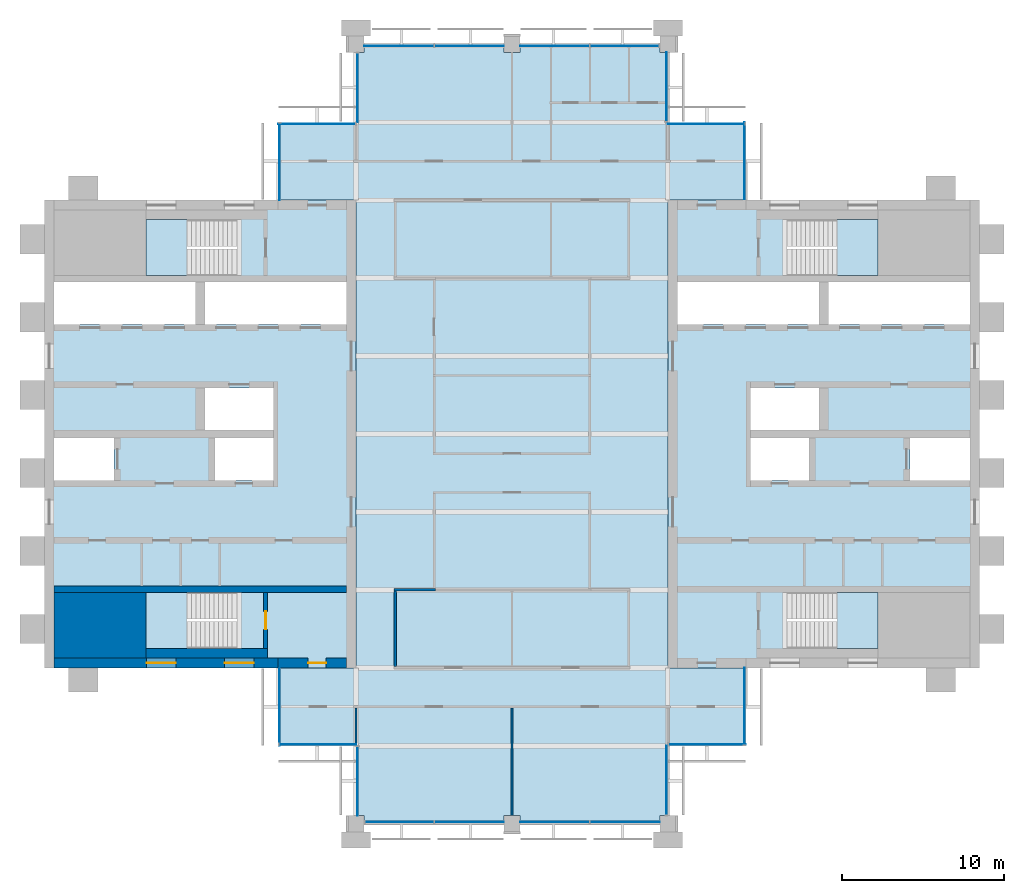
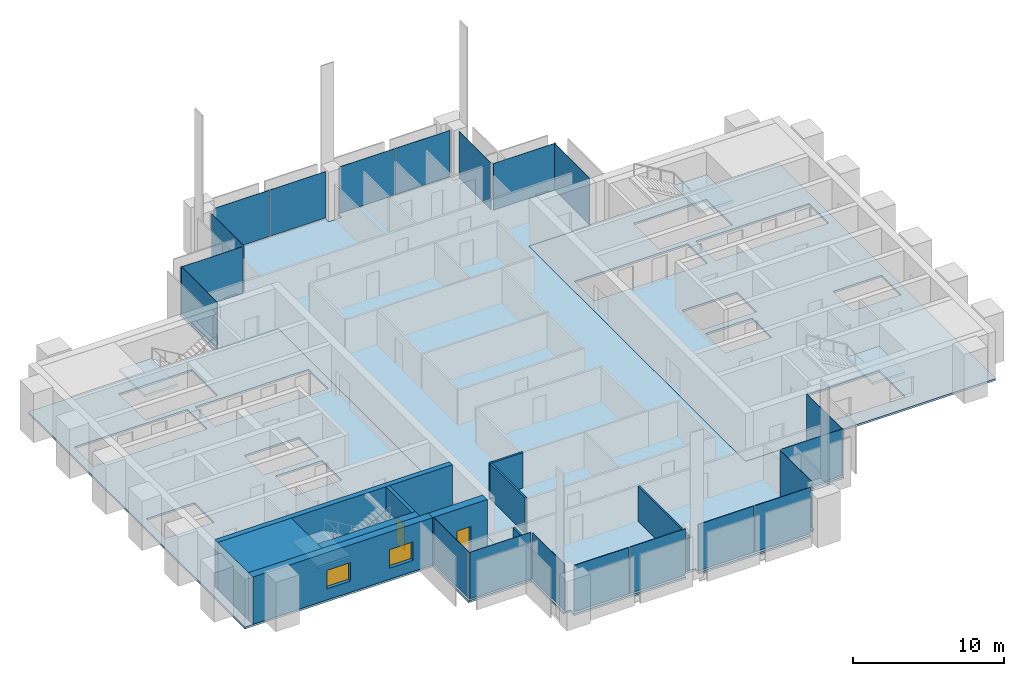
# One storey, part 7 of 13: 20 plates, 10 walls, 7 slabs, 2 doors, 2 windows, 4 openings, 18 elements without a shape of their own.
"""IFC4 building model written with IfcOpenShell, lengths in metres."""

from ifc_helpers import new_model, si_unit, direction, frame, frame_2d, origin, origin_2d, place, context, subcontext, project, spatial, polyline, rectangle, outline, extrude, material, layer, layer_set, type_object, element, fill, aggregate, save


model = new_model("IFC4")

# Units and contexts
model_context = context("Model", 3, precision=1e-05, world=origin(), true_north=direction((0.0, 1.0)))
body_context = subcontext(model_context, "Body", "Model", "MODEL_VIEW")
ifc_project = project(units=[si_unit("LENGTHUNIT", "METRE"), si_unit("AREAUNIT", "SQUARE_METRE"), si_unit("VOLUMEUNIT", "CUBIC_METRE"), si_unit("PLANEANGLEUNIT", "RADIAN"), si_unit("MASSUNIT", "GRAM", prefix="KILO")], contexts=[model_context])

# Site, building, storey
site_placement = place(None, origin())
site = spatial("IfcSite", under=ifc_project, at=site_placement, CompositionType="ELEMENT")
building_placement = place(site_placement, origin())
building = spatial("IfcBuilding", under=site, at=building_placement, Name="Baori Bourse Tower", CompositionType="ELEMENT")
storey_placement = place(building_placement, frame((0.0, 0.0, 318.300048828125)))
storey = spatial("IfcBuildingStorey", under=building, at=storey_placement, Name="L70", CompositionType="ELEMENT", Elevation=318.300048828125)

# Curtain wall, plate
ifc_material_1 = material(Name="Pale anodised aluminium", Category="aluminium")
curtain_wall_type_1 = type_object("IfcCurtainWallType", Name="CW2 Curtain wall", PredefinedType="NOTDEFINED", material=ifc_material_1)
curtain_wall_1_placement = place(storey_placement, origin())
curtain_wall_1 = element("IfcCurtainWall", 1, at=curtain_wall_1_placement, inside=storey, type_object=curtain_wall_type_1, Name="Curtain wall CW2 L70 1", PredefinedType="NOTDEFINED")
ifc_material_2 = material(Name="Clear glass", Category="glass")
ifc_layer_1 = layer(ifc_material_2, 0.030029296875)
ifc_layer_set_1 = layer_set([ifc_layer_1], Name="CW2 Curtain wall panel")
plate_type_1 = type_object("IfcPlateType", Name="CW2 Curtain wall panel", PredefinedType="CURTAIN_PANEL", material=ifc_layer_set_1)
plate_1_placement = place(storey_placement, frame((43.110107421875, 40.827392578125, 0.06982421875), z_axis=(0.0, 0.0, 1.0), x_axis=(0.0, 1.0, 0.0)))
plate_1 = element("IfcPlate", 2, at=plate_1_placement, type_object=plate_type_1, Name="Curtain wall CW2 panel", PredefinedType="CURTAIN_PANEL", context=body_context, shape_type="SweptSolid", body=[
    extrude(rectangle(XDim=4.7451171875, YDim=0.030029296875, at=origin_2d()), origin(), (0.0, 0.0, 1.0), 3.77001953125),
])
aggregate(curtain_wall_1, [plate_1])

curtain_wall_2_placement = place(storey_placement, origin())
curtain_wall_2 = element("IfcCurtainWall", 3, at=curtain_wall_2_placement, inside=storey, type_object=curtain_wall_type_1, Name="Curtain wall CW2 L70 2", PredefinedType="NOTDEFINED")
plate_2_placement = place(storey_placement, frame((40.7724609375, 43.110107421875, 0.06982421875), z_axis=(0.0, 0.0, 1.0), x_axis=(-1.0, 0.0, 0.0)))
plate_2 = element("IfcPlate", 4, at=plate_2_placement, type_object=plate_type_1, Name="Curtain wall CW2 panel", PredefinedType="CURTAIN_PANEL", context=body_context, shape_type="SweptSolid", body=[
    extrude(rectangle(XDim=4.7451171875, YDim=0.030029296875, at=origin_2d()), origin(), (0.0, 0.0, 1.0), 3.77001953125),
])
aggregate(curtain_wall_2, [plate_2])

curtain_wall_3_placement = place(storey_placement, origin())
curtain_wall_3 = element("IfcCurtainWall", 5, at=curtain_wall_3_placement, inside=storey, type_object=curtain_wall_type_1, Name="Curtain wall CW2 L70 3", PredefinedType="NOTDEFINED")
plate_3_placement = place(storey_placement, frame((38.31005859375, 45.37744140625, 0.06982421875), z_axis=(0.0, 0.0, 1.0), x_axis=(0.0, 1.0, 0.0)))
plate_3 = element("IfcPlate", 6, at=plate_3_placement, type_object=plate_type_1, Name="Curtain wall CW2 panel", PredefinedType="CURTAIN_PANEL", context=body_context, shape_type="SweptSolid", body=[
    extrude(rectangle(XDim=4.2451171875, YDim=0.030029296875, at=origin_2d()), origin(), (0.0, 0.0, 1.0), 3.77001953125),
])
aggregate(curtain_wall_3, [plate_3])

curtain_wall_4_placement = place(storey_placement, origin())
curtain_wall_4 = element("IfcCurtainWall", 7, at=curtain_wall_4_placement, inside=storey, type_object=curtain_wall_type_1, Name="Curtain wall CW2 L70 5", PredefinedType="NOTDEFINED")
plate_4_placement = place(storey_placement, frame((19.2900390625, 45.322509765625, 0.06982421875), z_axis=(0.0, 0.0, 1.0), x_axis=(0.0, -1.0, 0.0)))
plate_4 = element("IfcPlate", 8, at=plate_4_placement, type_object=plate_type_1, Name="Curtain wall CW2 panel", PredefinedType="CURTAIN_PANEL", context=body_context, shape_type="SweptSolid", body=[
    extrude(rectangle(XDim=4.2451171875, YDim=0.030029296875, at=origin_2d()), origin(), (0.0, 0.0, 1.0), 3.77001953125),
])
aggregate(curtain_wall_4, [plate_4])

curtain_wall_5_placement = place(storey_placement, origin())
curtain_wall_5 = element("IfcCurtainWall", 9, at=curtain_wall_5_placement, inside=storey, type_object=curtain_wall_type_1, Name="Curtain wall CW2 L70 6", PredefinedType="NOTDEFINED")
plate_5_placement = place(storey_placement, frame((16.7724609375, 43.110107421875, 0.06982421875), z_axis=(0.0, 0.0, 1.0), x_axis=(-1.0, 0.0, 0.0)))
plate_5 = element("IfcPlate", 10, at=plate_5_placement, type_object=plate_type_1, Name="Curtain wall CW2 panel", PredefinedType="CURTAIN_PANEL", context=body_context, shape_type="SweptSolid", body=[
    extrude(rectangle(XDim=4.7451171875, YDim=0.030029296875, at=origin_2d()), origin(), (0.0, 0.0, 1.0), 3.77001953125),
])
aggregate(curtain_wall_5, [plate_5])

curtain_wall_6_placement = place(storey_placement, origin())
curtain_wall_6 = element("IfcCurtainWall", 11, at=curtain_wall_6_placement, inside=storey, type_object=curtain_wall_type_1, Name="Curtain wall CW2 L70 7", PredefinedType="NOTDEFINED")
plate_6_placement = place(storey_placement, frame((14.489990234375, 40.7724609375, 0.06982421875), z_axis=(0.0, 0.0, 1.0), x_axis=(0.0, -1.0, 0.0)))
plate_6 = element("IfcPlate", 12, at=plate_6_placement, type_object=plate_type_1, Name="Curtain wall CW2 panel", PredefinedType="CURTAIN_PANEL", context=body_context, shape_type="SweptSolid", body=[
    extrude(rectangle(XDim=4.7451171875, YDim=0.030029296875, at=origin_2d()), origin(), (0.0, 0.0, 1.0), 3.77001953125),
])
aggregate(curtain_wall_6, [plate_6])

curtain_wall_7_placement = place(storey_placement, origin())
curtain_wall_7 = element("IfcCurtainWall", 13, at=curtain_wall_7_placement, inside=storey, type_object=curtain_wall_type_1, Name="Curtain wall CW2 L70 8", PredefinedType="NOTDEFINED")
plate_7_placement = place(storey_placement, frame((14.489990234375, 7.172607421875, 0.06982421875), z_axis=(0.0, 0.0, 1.0), x_axis=(0.0, -1.0, 0.0)))
plate_7 = element("IfcPlate", 14, at=plate_7_placement, type_object=plate_type_1, Name="Curtain wall CW2 panel", PredefinedType="CURTAIN_PANEL", context=body_context, shape_type="SweptSolid", body=[
    extrude(rectangle(XDim=4.7451171875, YDim=0.030029296875, at=origin_2d()), origin(), (0.0, 0.0, 1.0), 3.77001953125),
])
aggregate(curtain_wall_7, [plate_7])

curtain_wall_8_placement = place(storey_placement, origin())
curtain_wall_8 = element("IfcCurtainWall", 15, at=curtain_wall_8_placement, inside=storey, type_object=curtain_wall_type_1, Name="Curtain wall CW2 L70 9", PredefinedType="NOTDEFINED")
plate_8_placement = place(storey_placement, frame((16.827392578125, 4.889892578125, 0.06982421875), z_axis=(0.0, 0.0, 1.0), x_axis=(1.0, 0.0, 0.0)))
plate_8 = element("IfcPlate", 16, at=plate_8_placement, type_object=plate_type_1, Name="Curtain wall CW2 panel", PredefinedType="CURTAIN_PANEL", context=body_context, shape_type="SweptSolid", body=[
    extrude(rectangle(XDim=4.7451171875, YDim=0.030029296875, at=origin_2d()), origin(), (0.0, 0.0, 1.0), 3.77001953125),
])
aggregate(curtain_wall_8, [plate_8])

curtain_wall_9_placement = place(storey_placement, origin())
curtain_wall_9 = element("IfcCurtainWall", 17, at=curtain_wall_9_placement, inside=storey, type_object=curtain_wall_type_1, Name="Curtain wall CW2 L70 10", PredefinedType="NOTDEFINED")
plate_9_placement = place(storey_placement, frame((19.2900390625, 2.62255859375, 0.06982421875), z_axis=(0.0, 0.0, 1.0), x_axis=(0.0, -1.0, 0.0)))
plate_9 = element("IfcPlate", 18, at=plate_9_placement, type_object=plate_type_1, Name="Curtain wall CW2 panel", PredefinedType="CURTAIN_PANEL", context=body_context, shape_type="SweptSolid", body=[
    extrude(rectangle(XDim=4.2451171875, YDim=0.030029296875, at=origin_2d()), origin(), (0.0, 0.0, 1.0), 3.77001953125),
])
aggregate(curtain_wall_9, [plate_9])

curtain_wall_10_placement = place(storey_placement, origin())
curtain_wall_10 = element("IfcCurtainWall", 19, at=curtain_wall_10_placement, inside=storey, type_object=curtain_wall_type_1, Name="Curtain wall CW2 L70 12", PredefinedType="NOTDEFINED")
plate_10_placement = place(storey_placement, frame((38.31005859375, 2.677490234375, 0.06982421875), z_axis=(0.0, 0.0, 1.0), x_axis=(0.0, 1.0, 0.0)))
plate_10 = element("IfcPlate", 20, at=plate_10_placement, type_object=plate_type_1, Name="Curtain wall CW2 panel", PredefinedType="CURTAIN_PANEL", context=body_context, shape_type="SweptSolid", body=[
    extrude(rectangle(XDim=4.2451171875, YDim=0.030029296875, at=origin_2d()), origin(), (0.0, 0.0, 1.0), 3.77001953125),
])
aggregate(curtain_wall_10, [plate_10])

curtain_wall_11_placement = place(storey_placement, origin())
curtain_wall_11 = element("IfcCurtainWall", 21, at=curtain_wall_11_placement, inside=storey, type_object=curtain_wall_type_1, Name="Curtain wall CW2 L70 13", PredefinedType="NOTDEFINED")
plate_11_placement = place(storey_placement, frame((40.827392578125, 4.889892578125, 0.06982421875), z_axis=(0.0, 0.0, 1.0), x_axis=(1.0, 0.0, 0.0)))
plate_11 = element("IfcPlate", 22, at=plate_11_placement, type_object=plate_type_1, Name="Curtain wall CW2 panel", PredefinedType="CURTAIN_PANEL", context=body_context, shape_type="SweptSolid", body=[
    extrude(rectangle(XDim=4.7451171875, YDim=0.030029296875, at=origin_2d()), origin(), (0.0, 0.0, 1.0), 3.77001953125),
])
aggregate(curtain_wall_11, [plate_11])

curtain_wall_12_placement = place(storey_placement, origin())
curtain_wall_12 = element("IfcCurtainWall", 23, at=curtain_wall_12_placement, inside=storey, type_object=curtain_wall_type_1, Name="Curtain wall CW2 L70 14", PredefinedType="NOTDEFINED")
plate_12_placement = place(storey_placement, frame((43.110107421875, 7.2275390625, 0.06982421875), z_axis=(0.0, 0.0, 1.0), x_axis=(0.0, 1.0, 0.0)))
plate_12 = element("IfcPlate", 24, at=plate_12_placement, type_object=plate_type_1, Name="Curtain wall CW2 panel", PredefinedType="CURTAIN_PANEL", context=body_context, shape_type="SweptSolid", body=[
    extrude(rectangle(XDim=4.7451171875, YDim=0.030029296875, at=origin_2d()), origin(), (0.0, 0.0, 1.0), 3.77001953125),
])
aggregate(curtain_wall_12, [plate_12])

# Curtain wall, plates
ifc_material_3 = material(Name="Pale anodised aluminium", Category="aluminium")
curtain_wall_type_2 = type_object("IfcCurtainWallType", Name="CW5 Curtain wall", PredefinedType="NOTDEFINED", material=ifc_material_3)
curtain_wall_13_placement = place(storey_placement, origin())
curtain_wall_13 = element("IfcCurtainWall", 25, at=curtain_wall_13_placement, inside=storey, type_object=curtain_wall_type_2, Name="Curtain wall CW5 L70 4", PredefinedType="NOTDEFINED")
ifc_material_4 = material(Name="Clear glass", Category="glass")
ifc_layer_2 = layer(ifc_material_4, 0.035888671875)
ifc_layer_set_2 = layer_set([ifc_layer_2], Name="CW5 Curtain wall panel")
plate_type_2 = type_object("IfcPlateType", Name="CW5 Curtain wall panel", PredefinedType="CURTAIN_PANEL", material=ifc_layer_set_2)
plate_13_placement = place(storey_placement, frame((35.733642578125, 47.889892578125, 0.0849609375), z_axis=(0.0, 0.0, 1.0), x_axis=(-1.0, 0.0, 0.0)))
plate_13 = element("IfcPlate", 26, at=plate_13_placement, type_object=plate_type_2, Name="Curtain wall CW5 panel", PredefinedType="CURTAIN_PANEL", context=body_context, shape_type="SweptSolid", body=[
    extrude(rectangle(XDim=4.202392578125, YDim=0.035888671875, at=origin_2d()), origin(), (0.0, 0.0, 1.0), 3.7548828125),
])
plate_14_placement = place(storey_placement, frame((31.433837890625, 47.889892578125, 0.0849609375), z_axis=(0.0, 0.0, 1.0), x_axis=(-1.0, 0.0, 0.0)))
plate_14 = element("IfcPlate", 27, at=plate_14_placement, type_object=plate_type_2, Name="Curtain wall CW5 panel", PredefinedType="CURTAIN_PANEL", context=body_context, shape_type="SweptSolid", body=[
    extrude(rectangle(XDim=4.267578125, YDim=0.035888671875, at=origin_2d()), origin(), (0.0, 0.0, 1.0), 3.7548828125),
])
plate_15_placement = place(storey_placement, frame((26.166259765625, 47.889892578125, 0.0849609375), z_axis=(0.0, 0.0, 1.0), x_axis=(-1.0, 0.0, 0.0)))
plate_15 = element("IfcPlate", 28, at=plate_15_placement, type_object=plate_type_2, Name="Curtain wall CW5 panel", PredefinedType="CURTAIN_PANEL", context=body_context, shape_type="SweptSolid", body=[
    extrude(rectangle(XDim=4.267578125, YDim=0.035888671875, at=origin_2d()), origin(), (0.0, 0.0, 1.0), 3.7548828125),
])
plate_16_placement = place(storey_placement, frame((21.833740234375, 47.889892578125, 0.0849609375), z_axis=(0.0, 0.0, 1.0), x_axis=(-1.0, 0.0, 0.0)))
plate_16 = element("IfcPlate", 29, at=plate_16_placement, type_object=plate_type_2, Name="Curtain wall CW5 panel", PredefinedType="CURTAIN_PANEL", context=body_context, shape_type="SweptSolid", body=[
    extrude(rectangle(XDim=4.267578125, YDim=0.035888671875, at=origin_2d()), origin(), (0.0, 0.0, 1.0), 3.7548828125),
])
aggregate(curtain_wall_13, [plate_13, plate_14, plate_15, plate_16])

curtain_wall_14_placement = place(storey_placement, origin())
curtain_wall_14 = element("IfcCurtainWall", 30, at=curtain_wall_14_placement, inside=storey, type_object=curtain_wall_type_2, Name="Curtain wall CW5 L70 11", PredefinedType="NOTDEFINED")
plate_17_placement = place(storey_placement, frame((21.8662109375, 0.110107421875, 0.0849609375), z_axis=(0.0, 0.0, 1.0), x_axis=(1.0, 0.0, 0.0)))
plate_17 = element("IfcPlate", 31, at=plate_17_placement, type_object=plate_type_2, Name="Curtain wall CW5 panel", PredefinedType="CURTAIN_PANEL", context=body_context, shape_type="SweptSolid", body=[
    extrude(rectangle(XDim=4.202392578125, YDim=0.035888671875, at=origin_2d()), origin(), (0.0, 0.0, 1.0), 3.7548828125),
])
plate_18_placement = place(storey_placement, frame((26.166259765625, 0.110107421875, 0.0849609375), z_axis=(0.0, 0.0, 1.0), x_axis=(1.0, 0.0, 0.0)))
plate_18 = element("IfcPlate", 32, at=plate_18_placement, type_object=plate_type_2, Name="Curtain wall CW5 panel", PredefinedType="CURTAIN_PANEL", context=body_context, shape_type="SweptSolid", body=[
    extrude(rectangle(XDim=4.267578125, YDim=0.035888671875, at=origin_2d()), origin(), (0.0, 0.0, 1.0), 3.7548828125),
])
plate_19_placement = place(storey_placement, frame((31.433837890625, 0.110107421875, 0.0849609375), z_axis=(0.0, 0.0, 1.0), x_axis=(1.0, 0.0, 0.0)))
plate_19 = element("IfcPlate", 33, at=plate_19_placement, type_object=plate_type_2, Name="Curtain wall CW5 panel", PredefinedType="CURTAIN_PANEL", context=body_context, shape_type="SweptSolid", body=[
    extrude(rectangle(XDim=4.267578125, YDim=0.035888671875, at=origin_2d()), origin(), (0.0, 0.0, 1.0), 3.7548828125),
])
plate_20_placement = place(storey_placement, frame((35.766357421875, 0.110107421875, 0.0849609375), z_axis=(0.0, 0.0, 1.0), x_axis=(1.0, 0.0, 0.0)))
plate_20 = element("IfcPlate", 34, at=plate_20_placement, type_object=plate_type_2, Name="Curtain wall CW5 panel", PredefinedType="CURTAIN_PANEL", context=body_context, shape_type="SweptSolid", body=[
    extrude(rectangle(XDim=4.267578125, YDim=0.035888671875, at=origin_2d()), origin(), (0.0, 0.0, 1.0), 3.7548828125),
])
aggregate(curtain_wall_14, [plate_17, plate_18, plate_19, plate_20])

# Slabs
ifc_material_5 = material(Name="Concrete f'c 50 MPa", Category="concrete")
ifc_layer_3 = layer(ifc_material_5, 0.159912109375)
ifc_layer_set_3 = layer_set([ifc_layer_3], Name="Core slab 160")
slab_type_1 = type_object("IfcSlabType", Name="Core slab 160", PredefinedType="FLOOR", material=ifc_layer_set_3)
slab_1_placement = place(storey_placement, frame((0.0, 0.0, -0.16015625)))
element("IfcSlab", 35, at=slab_1_placement, inside=storey, type_object=slab_type_1, Name="Core floor slab W01", PredefinedType="FLOOR", context=body_context, shape_type="SweptSolid", body=[
    extrude(outline(polyline([(19.199951171875, 38.39990234375), (0.0, 38.39990234375), (0.0, 9.60009765625), (19.199951171875, 9.60009765625), (19.199951171875, 38.39990234375)]), holes=[polyline([(9.89990234375, 33.35009765625), (18.60009765625, 33.35009765625), (18.60009765625, 30.75), (9.89990234375, 30.75), (9.89990234375, 33.35009765625)]), polyline([(10.5, 21.14990234375), (10.5, 23.75), (14.10009765625, 23.75), (14.10009765625, 21.14990234375), (10.5, 21.14990234375)]), polyline([(14.10009765625, 24.25), (9.89990234375, 24.25), (9.89990234375, 26.85009765625), (14.10009765625, 26.85009765625), (14.10009765625, 24.25)]), polyline([(6.25, 14.25), (11.84912109375, 14.25), (11.84912109375, 10.800048828125), (6.25, 10.800048828125), (6.25, 14.25)]), polyline([(11.84912109375, 37.199951171875), (11.84912109375, 33.75), (6.25, 33.75), (6.25, 37.199951171875), (11.84912109375, 37.199951171875)]), polyline([(0.60009765625, 30.75), (0.60009765625, 33.35009765625), (9.300048828125, 33.35009765625), (9.300048828125, 30.75), (0.60009765625, 30.75)]), polyline([(4.300048828125, 23.75), (4.300048828125, 21.14990234375), (0.60009765625, 21.14990234375), (0.60009765625, 23.75), (4.300048828125, 23.75)])]), origin(), (0.0, 0.0, 1.0), 0.16015625),
])
slab_2_placement = place(storey_placement, frame((0.0, 0.0, -0.16015625)))
element("IfcSlab", 36, at=slab_2_placement, inside=storey, type_object=slab_type_1, Name="Core floor slab E01", PredefinedType="FLOOR", context=body_context, shape_type="SweptSolid", body=[
    extrude(outline(polyline([(57.60009765625, 9.60009765625), (57.60009765625, 38.39990234375), (38.39990234375, 38.39990234375), (38.39990234375, 9.60009765625), (57.60009765625, 9.60009765625)]), holes=[polyline([(48.300048828125, 33.35009765625), (57.0, 33.35009765625), (57.0, 30.75), (48.300048828125, 30.75), (48.300048828125, 33.35009765625)]), polyline([(57.0, 21.14990234375), (53.300048828125, 21.14990234375), (53.300048828125, 23.75), (57.0, 23.75), (57.0, 21.14990234375)]), polyline([(45.750732421875, 14.25), (51.35009765625, 14.25), (51.35009765625, 10.800048828125), (45.750732421875, 10.800048828125), (45.750732421875, 14.25)]), polyline([(51.35009765625, 37.199951171875), (51.35009765625, 33.75), (45.750732421875, 33.75), (45.750732421875, 37.199951171875), (51.35009765625, 37.199951171875)]), polyline([(43.5, 24.25), (43.5, 26.85009765625), (47.699951171875, 26.85009765625), (47.699951171875, 24.25), (43.5, 24.25)]), polyline([(47.699951171875, 33.35009765625), (47.699951171875, 30.75), (39.0, 30.75), (39.0, 33.35009765625), (47.699951171875, 33.35009765625)]), polyline([(43.5, 23.75), (47.10009765625, 23.75), (47.10009765625, 21.14990234375), (43.5, 21.14990234375), (43.5, 23.75)])]), origin(), (0.0, 0.0, 1.0), 0.16015625),
])

# Stair, slab
ifc_material_6 = material(Name="Concrete f'c 50 MPa", Category="concrete")
stair_type = type_object("IfcStairType", Name="Core stair", PredefinedType="HALF_TURN_STAIR", material=ifc_material_6)
stair_1_placement = place(storey_placement, origin())
stair_1 = element("IfcStair", 37, at=stair_1_placement, inside=storey, type_object=stair_type, Name="L70 Stair WA", PredefinedType="HALF_TURN_STAIR")
ifc_material_7 = material(Name="Concrete f'c 50 MPa", Category="concrete")
slab_type_2 = type_object("IfcSlabType", Name="Core stair landing", PredefinedType="LANDING", material=ifc_material_7)
slab_3_placement = place(storey_placement, frame((0.0, 0.0, 1.800048828125)))
slab_3 = element("IfcSlab", 38, at=slab_3_placement, type_object=slab_type_2, Name="ST1 landing 1", PredefinedType="LANDING", context=body_context, shape_type="SweptSolid", body=[
    extrude(outline(polyline([(8.77001953125, 14.25), (6.25, 14.25), (6.25, 10.800048828125), (8.77001953125, 10.800048828125), (8.77001953125, 14.25)])), origin(), (0.0, 0.0, 1.0), 0.199951171875),
])
aggregate(stair_1, [slab_3])

stair_2_placement = place(storey_placement, origin())
stair_2 = element("IfcStair", 39, at=stair_2_placement, inside=storey, type_object=stair_type, Name="L70 Stair WB", PredefinedType="HALF_TURN_STAIR")
slab_4_placement = place(storey_placement, frame((0.0, 0.0, 1.800048828125)))
slab_4 = element("IfcSlab", 40, at=slab_4_placement, type_object=slab_type_2, Name="ST2 landing 1", PredefinedType="LANDING", context=body_context, shape_type="SweptSolid", body=[
    extrude(outline(polyline([(8.77001953125, 37.199951171875), (6.25, 37.199951171875), (6.25, 33.75), (8.77001953125, 33.75), (8.77001953125, 37.199951171875)])), origin(), (0.0, 0.0, 1.0), 0.199951171875),
])
aggregate(stair_2, [slab_4])

stair_3_placement = place(storey_placement, origin())
stair_3 = element("IfcStair", 41, at=stair_3_placement, inside=storey, type_object=stair_type, Name="L70 Stair EA", PredefinedType="HALF_TURN_STAIR")
slab_5_placement = place(storey_placement, frame((0.0, 0.0, 1.800048828125)))
slab_5 = element("IfcSlab", 42, at=slab_5_placement, type_object=slab_type_2, Name="ST3 landing 1", PredefinedType="LANDING", context=body_context, shape_type="SweptSolid", body=[
    extrude(outline(polyline([(48.830078125, 10.800048828125), (51.35009765625, 10.800048828125), (51.35009765625, 14.25), (48.830078125, 14.25), (48.830078125, 10.800048828125)])), origin(), (0.0, 0.0, 1.0), 0.199951171875),
])
aggregate(stair_3, [slab_5])

stair_4_placement = place(storey_placement, origin())
stair_4 = element("IfcStair", 43, at=stair_4_placement, inside=storey, type_object=stair_type, Name="L70 Stair EB", PredefinedType="HALF_TURN_STAIR")
slab_6_placement = place(storey_placement, frame((0.0, 0.0, 1.800048828125)))
slab_6 = element("IfcSlab", 44, at=slab_6_placement, type_object=slab_type_2, Name="ST4 landing 1", PredefinedType="LANDING", context=body_context, shape_type="SweptSolid", body=[
    extrude(outline(polyline([(48.830078125, 33.75), (51.35009765625, 33.75), (51.35009765625, 37.199951171875), (48.830078125, 37.199951171875), (48.830078125, 33.75)])), origin(), (0.0, 0.0, 1.0), 0.199951171875),
])
aggregate(stair_4, [slab_6])

# Slab
ifc_material_8 = material(Name="Concrete f'c 40 MPa", Category="concrete")
ifc_layer_4 = layer(ifc_material_8, 0.159912109375)
ifc_layer_set_4 = layer_set([ifc_layer_4], Name="Floor slab 160")
slab_type_3 = type_object("IfcSlabType", Name="Floor slab 160", PredefinedType="FLOOR", material=ifc_layer_set_4)
slab_7_placement = place(storey_placement, frame((0.0, 0.0, -0.16015625)))
element("IfcSlab", 45, at=slab_7_placement, inside=storey, type_object=slab_type_3, Name="Floor slab L70", PredefinedType="FLOOR", context=body_context, shape_type="SweptSolid", body=[
    extrude(outline(polyline([(19.199951171875, 4.800048828125), (14.39990234375, 4.800048828125), (14.39990234375, 9.60009765625), (19.199951171875, 9.60009765625), (19.199951171875, 38.39990234375), (14.39990234375, 38.39990234375), (14.39990234375, 43.199951171875), (19.199951171875, 43.199951171875), (19.199951171875, 47.5), (19.699951171875, 47.5), (19.699951171875, 48.0), (28.300048828125, 48.0), (28.300048828125, 47.5), (29.300048828125, 47.5), (29.300048828125, 48.0), (37.89990234375, 48.0), (37.89990234375, 47.5), (38.39990234375, 47.5), (38.39990234375, 43.199951171875), (43.199951171875, 43.199951171875), (43.199951171875, 38.39990234375), (38.39990234375, 38.39990234375), (38.39990234375, 9.60009765625), (43.199951171875, 9.60009765625), (43.199951171875, 4.800048828125), (38.39990234375, 4.800048828125), (38.39990234375, 0.5), (37.89990234375, 0.5), (37.89990234375, 0.0), (29.300048828125, 0.0), (29.300048828125, 0.5), (28.300048828125, 0.5), (28.300048828125, 0.0), (19.699951171875, 0.0), (19.699951171875, 0.5), (19.199951171875, 0.5), (19.199951171875, 4.800048828125)])), origin(), (0.0, 0.0, 1.0), 0.16015625),
])

# Wall
ifc_material_9 = material(Name="Concrete f'c 40 MPa", Category="concrete")
wall_type_1 = type_object("IfcWallType", Name="Core corner block f'c 40", PredefinedType="SHEAR", material=ifc_material_9)
wall_1_placement = place(storey_placement, frame((0.60009765625, 12.22509765625, 0.0), z_axis=(0.0, 0.0, 1.0), x_axis=(1.0, 0.0, 0.0)))
element("IfcWall", 46, at=wall_1_placement, inside=storey, type_object=wall_type_1, Name="Core wall W05", PredefinedType="SHEAR", context=body_context, shape_type="SweptSolid", body=[
    extrude(rectangle(XDim=5.64990234375, YDim=4.050048828125, at=frame_2d((2.824951171875, 0.0))), origin(), (0.0, 0.0, 1.0), 3.83984375),
])

# Wall, openings, windows
ifc_material_10 = material(Name="Concrete f'c 40 MPa", Category="concrete")
ifc_layer_5 = layer(ifc_material_10, 0.60009765625)
ifc_layer_set_5 = layer_set([ifc_layer_5], Name="Core wall 600 f'c 40")
wall_type_2 = type_object("IfcWallType", Name="Core wall 600 f'c 40", PredefinedType="SHEAR", material=ifc_layer_set_5)
wall_2_placement = place(storey_placement, frame((14.39990234375, 9.89990234375, 0.0), z_axis=(0.0, 0.0, 1.0), x_axis=(-1.0, 0.0, 0.0)))
wall_2 = element("IfcWall", 47, at=wall_2_placement, inside=storey, type_object=wall_type_2, Name="Core wall W02", PredefinedType="SHEAR", context=body_context, shape_type="SweptSolid", body=[
    extrude(rectangle(XDim=13.7998046875, YDim=0.60009765625, at=frame_2d((6.89990234375, 0.0))), origin(), (0.0, 0.0, 1.0), 3.83984375),
])
opening_1_placement = place(wall_2_placement, frame((6.300048828125, 0.0, 0.89990234375)))
opening_1 = element("IfcOpeningElement", 48, at=opening_1_placement, cuts=wall_2, Name="Opening L70-KW103", PredefinedType="OPENING", context=body_context, shape_type="SweptSolid", body=[
    extrude(rectangle(XDim=1.800048828125, YDim=1.5, at=frame_2d((0.89990234375, 0.75))), frame((0.0, 0.31005859375, 0.0), z_axis=(0.0, -1.0, 0.0), x_axis=(1.0, 0.0, 0.0)), (0.0, 0.0, 1.0), 0.6201171875),
])
opening_2_placement = place(wall_2_placement, frame((1.5, 0.0, 0.89990234375)))
opening_2 = element("IfcOpeningElement", 49, at=opening_2_placement, cuts=wall_2, Name="Opening L70-KW104", PredefinedType="OPENING", context=body_context, shape_type="SweptSolid", body=[
    extrude(rectangle(XDim=1.800048828125, YDim=1.5, at=frame_2d((0.89990234375, 0.75))), frame((0.0, 0.31005859375, 0.0), z_axis=(0.0, -1.0, 0.0), x_axis=(1.0, 0.0, 0.0)), (0.0, 0.0, 1.0), 0.6201171875),
])
ifc_material_11 = material(Name="Pale anodised aluminium", Category="aluminium")
window_type = type_object("IfcWindowType", Name="Stair window 1800 x 1500", PartitioningType="SINGLE_PANEL", PredefinedType="WINDOW", material=ifc_material_11)
window_1_placement = place(opening_1_placement, origin())
window_1 = element("IfcWindow", 50, at=window_1_placement, inside=storey, type_object=window_type, Name="Stair window W L70 3", OverallHeight=1.5, OverallWidth=1.800048828125, PartitioningType="SINGLE_PANEL", PredefinedType="WINDOW", context=body_context, shape_type="SweptSolid", body=[
    extrude(rectangle(XDim=1.800048828125, YDim=1.5, at=frame_2d((0.89990234375, 0.75))), frame((0.0, 0.030029296875, 0.0), z_axis=(0.0, -1.0, 0.0), x_axis=(1.0, 0.0, 0.0)), (0.0, 0.0, 1.0), 0.06005859375),
])
fill(opening_1, window_1)
window_2_placement = place(opening_2_placement, origin())
window_2 = element("IfcWindow", 51, at=window_2_placement, inside=storey, type_object=window_type, Name="Stair window W L70 4", OverallHeight=1.5, OverallWidth=1.800048828125, PartitioningType="SINGLE_PANEL", PredefinedType="WINDOW", context=body_context, shape_type="SweptSolid", body=[
    extrude(rectangle(XDim=1.800048828125, YDim=1.5, at=frame_2d((0.89990234375, 0.75))), frame((0.0, 0.030029296875, 0.0), z_axis=(0.0, -1.0, 0.0), x_axis=(1.0, 0.0, 0.0)), (0.0, 0.0, 1.0), 0.06005859375),
])
fill(opening_2, window_2)

# Wall, opening, door
wall_3_placement = place(storey_placement, frame((18.60009765625, 9.89990234375, 0.0), z_axis=(0.0, 0.0, 1.0), x_axis=(-1.0, 0.0, 0.0)))
wall_3 = element("IfcWall", 52, at=wall_3_placement, inside=storey, type_object=wall_type_2, Name="Core wall W03", PredefinedType="SHEAR", context=body_context, shape_type="SweptSolid", body=[
    extrude(rectangle(XDim=4.2001953125, YDim=0.60009765625, at=frame_2d((2.10009765625, 0.0))), origin(), (0.0, 0.0, 1.0), 3.83984375),
])
opening_3_placement = place(wall_3_placement, frame((1.25, 0.0, 0.0)))
opening_3 = element("IfcOpeningElement", 53, at=opening_3_placement, cuts=wall_3, Name="Opening L70-D102", PredefinedType="OPENING", context=body_context, shape_type="SweptSolid", body=[
    extrude(rectangle(XDim=1.10009765625, YDim=2.10009765625, at=frame_2d((0.550048828125, 1.050048828125))), frame((0.0, 0.31005859375, 0.0), z_axis=(0.0, -1.0, 0.0), x_axis=(1.0, 0.0, 0.0)), (0.0, 0.0, 1.0), 0.6201171875),
])
ifc_material_12 = material(Name="Painted steel door", Category="steel")
door_type = type_object("IfcDoorType", Name="Stair door 1100", OperationType="SINGLE_SWING_LEFT", PredefinedType="DOOR", material=ifc_material_12)
door_1_placement = place(opening_3_placement, origin())
door_1 = element("IfcDoor", 54, at=door_1_placement, inside=storey, type_object=door_type, Name="Stair vestibule door A W L70", OperationType="SINGLE_SWING_LEFT", OverallHeight=2.10009765625, OverallWidth=1.10009765625, PredefinedType="DOOR", context=body_context, shape_type="SweptSolid", body=[
    extrude(rectangle(XDim=1.10009765625, YDim=2.10009765625, at=frame_2d((0.550048828125, 1.050048828125))), frame((0.0, 0.02490234375, 0.0), z_axis=(0.0, -1.0, 0.0), x_axis=(1.0, 0.0, 0.0)), (0.0, 0.0, 1.0), 0.050048828125),
])
fill(opening_3, door_1)

# Walls
ifc_material_13 = material(Name="Gypsum board partition")
ifc_layer_6 = layer(ifc_material_13, 0.14990234375)
ifc_layer_set_6 = layer_set([ifc_layer_6], Name="Corridor partition 150")
wall_type_3 = type_object("IfcWallType", Name="Corridor partition 150", PredefinedType="PARTITIONING", material=ifc_layer_set_6)
wall_4_placement = place(storey_placement, frame((21.52490234375, 14.39990234375, 0.0), z_axis=(0.0, 0.0, 1.0), x_axis=(1.0, 0.0, 0.0)))
element("IfcWall", 55, at=wall_4_placement, inside=storey, type_object=wall_type_3, Name="Partition", PredefinedType="PARTITIONING", context=body_context, shape_type="SweptSolid", body=[
    extrude(rectangle(XDim=2.550048828125, YDim=0.14990234375, at=frame_2d((1.27490234375, 0.0))), origin(), (0.0, 0.0, 1.0), 2.86962890625),
])
wall_5_placement = place(storey_placement, frame((21.60009765625, 9.675048828125, 0.0), z_axis=(0.0, 0.0, 1.0), x_axis=(0.0, 1.0, 0.0)))
element("IfcWall", 56, at=wall_5_placement, inside=storey, type_object=wall_type_3, Name="Partition", PredefinedType="PARTITIONING", context=body_context, shape_type="SweptSolid", body=[
    extrude(rectangle(XDim=4.64990234375, YDim=0.14990234375, at=frame_2d((2.324951171875, 0.0))), origin(), (0.0, 0.0, 1.0), 2.86962890625),
])
ifc_material_14 = material(Name="Gypsum board partition")
ifc_layer_7 = layer(ifc_material_14, 0.125)
ifc_layer_set_7 = layer_set([ifc_layer_7], Name="Partition 125")
wall_type_4 = type_object("IfcWallType", Name="Partition 125", PredefinedType="PARTITIONING", material=ifc_layer_set_7)
wall_6_placement = place(storey_placement, frame((19.199951171875, 4.89990234375, 0.0), z_axis=(0.0, 0.0, 1.0), x_axis=(0.0, 1.0, 0.0)))
element("IfcWall", 57, at=wall_6_placement, inside=storey, type_object=wall_type_4, Name="Partition", PredefinedType="PARTITIONING", context=body_context, shape_type="SweptSolid", body=[
    extrude(rectangle(XDim=2.22509765625, YDim=0.125, at=frame_2d((1.112548828125, 0.0))), origin(), (0.0, 0.0, 1.0), 2.86962890625),
])
wall_7_placement = place(storey_placement, frame((28.800048828125, 0.5, 0.0), z_axis=(0.0, 0.0, 1.0), x_axis=(0.0, 1.0, 0.0)))
element("IfcWall", 58, at=wall_7_placement, inside=storey, type_object=wall_type_4, Name="Partition", PredefinedType="PARTITIONING", context=body_context, shape_type="SweptSolid", body=[
    extrude(rectangle(XDim=6.625, YDim=0.125, at=frame_2d((3.3125, 0.0))), origin(), (0.0, 0.0, 1.0), 2.86962890625),
])

# Wall, opening, door
ifc_material_15 = material(Name="Concrete f'c 40 MPa", Category="concrete")
ifc_layer_8 = layer(ifc_material_15, 0.25)
ifc_layer_set_8 = layer_set([ifc_layer_8], Name="Shaft wall 250 f'c 40")
wall_type_5 = type_object("IfcWallType", Name="Shaft wall 250 f'c 40", PredefinedType="SHEAR", material=ifc_layer_set_8)
wall_8_placement = place(storey_placement, frame((13.625, 10.800048828125, 0.0), z_axis=(0.0, 0.0, 1.0), x_axis=(0.0, 1.0, 0.0)))
wall_8 = element("IfcWall", 59, at=wall_8_placement, inside=storey, type_object=wall_type_5, Name="Core wall W07", PredefinedType="SHEAR", context=body_context, shape_type="SweptSolid", body=[
    extrude(rectangle(XDim=3.449951171875, YDim=0.25, at=frame_2d((1.72509765625, 0.0))), origin(), (0.0, 0.0, 1.0), 3.83984375),
])
opening_4_placement = place(wall_8_placement, frame((1.175048828125, 0.0, 0.0)))
opening_4 = element("IfcOpeningElement", 60, at=opening_4_placement, cuts=wall_8, Name="Opening L70-D101", PredefinedType="OPENING", context=body_context, shape_type="SweptSolid", body=[
    extrude(rectangle(XDim=1.10009765625, YDim=2.10009765625, at=frame_2d((0.550048828125, 1.050048828125))), frame((0.0, 0.135009765625, 0.0), z_axis=(0.0, -1.0, 0.0), x_axis=(1.0, 0.0, 0.0)), (0.0, 0.0, 1.0), 0.27001953125),
])
door_2_placement = place(opening_4_placement, origin())
door_2 = element("IfcDoor", 61, at=door_2_placement, inside=storey, type_object=door_type, Name="Stair door A W L70", OperationType="SINGLE_SWING_LEFT", OverallHeight=2.10009765625, OverallWidth=1.10009765625, PredefinedType="DOOR", context=body_context, shape_type="SweptSolid", body=[
    extrude(rectangle(XDim=1.10009765625, YDim=2.10009765625, at=frame_2d((0.550048828125, 1.050048828125))), frame((0.0, 0.02490234375, 0.0), z_axis=(0.0, -1.0, 0.0), x_axis=(1.0, 0.0, 0.0)), (0.0, 0.0, 1.0), 0.050048828125),
])
fill(opening_4, door_2)

# Walls
ifc_material_16 = material(Name="Concrete f'c 40 MPa", Category="concrete")
ifc_layer_9 = layer(ifc_material_16, 0.39990234375)
ifc_layer_set_9 = layer_set([ifc_layer_9], Name="Shaft wall 400 f'c 40")
wall_type_6 = type_object("IfcWallType", Name="Shaft wall 400 f'c 40", PredefinedType="SHEAR", material=ifc_layer_set_9)
wall_9_placement = place(storey_placement, frame((0.60009765625, 14.449951171875, 0.0), z_axis=(0.0, 0.0, 1.0), x_axis=(1.0, 0.0, 0.0)))
element("IfcWall", 62, at=wall_9_placement, inside=storey, type_object=wall_type_6, Name="Core wall W08", PredefinedType="SHEAR", context=body_context, shape_type="SweptSolid", body=[
    extrude(rectangle(XDim=18.0, YDim=0.39990234375, at=frame_2d((9.0, 0.0))), origin(), (0.0, 0.0, 1.0), 3.83984375),
])
ifc_material_17 = material(Name="Concrete f'c 40 MPa", Category="concrete")
ifc_layer_10 = layer(ifc_material_17, 0.60009765625)
ifc_layer_set_10 = layer_set([ifc_layer_10], Name="Shaft wall 600 f'c 40")
wall_type_7 = type_object("IfcWallType", Name="Shaft wall 600 f'c 40", PredefinedType="SHEAR", material=ifc_layer_set_10)
wall_10_placement = place(storey_placement, frame((6.25, 10.5, 0.0), z_axis=(0.0, 0.0, 1.0), x_axis=(1.0, 0.0, 0.0)))
element("IfcWall", 63, at=wall_10_placement, inside=storey, type_object=wall_type_7, Name="Core wall W06", PredefinedType="SHEAR", context=body_context, shape_type="SweptSolid", body=[
    extrude(rectangle(XDim=7.5, YDim=0.60009765625, at=frame_2d((3.75, 0.0))), origin(), (0.0, 0.0, 1.0), 3.83984375),
])

save(model, "model.ifc")
